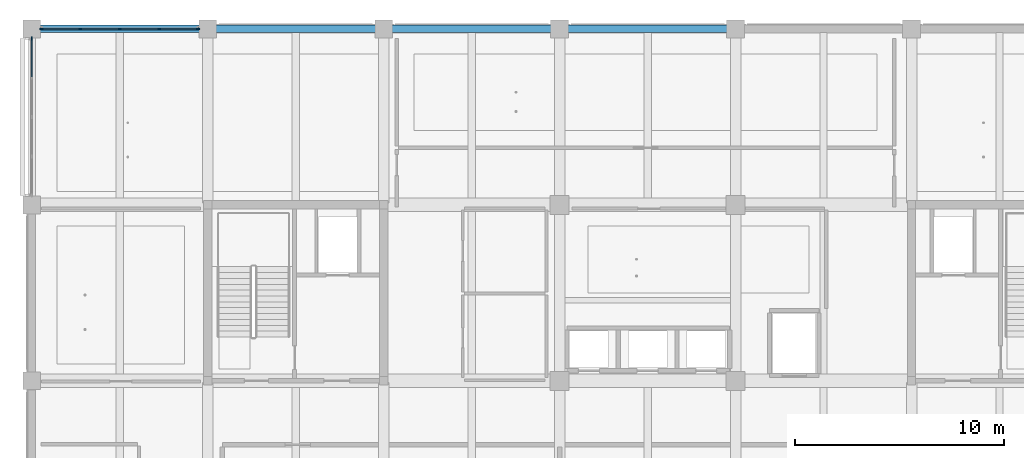
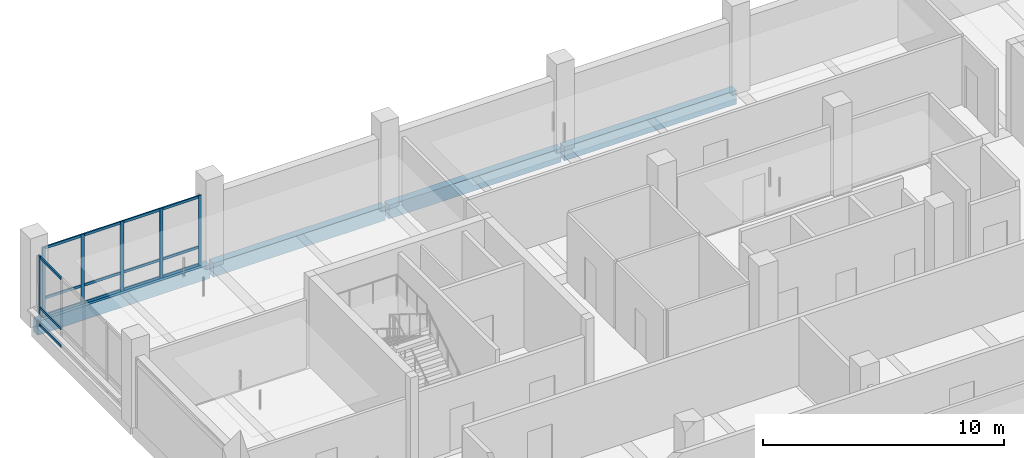
# One storey, part 8 of 36: 21 members, 4 beams, 2 elements without a shape of their own.
"""IFC4 building model written with IfcOpenShell, lengths in metres."""

import ifcopenshell
import ifcopenshell.guid

model = None  # the IFC model being written
_history = None  # IfcOwnerHistory: only IFC2X3 demands one
_inside = {}  # id of a spatial element -> (the spatial element, [elements in it])
_under = {}  # id of a project, library or spatial element -> (it, [spatial elements below it])
_declared = {}  # id of a project -> (the project, [libraries it declares])
_typed = {}  # id of a type object -> (the type object, [elements of that type])
_made_of = {}  # id of a material, layer set ... -> (it, [elements and type objects made of it])


def new_model(schema):
    """Start an empty IFC model of exactly this schema.

    Asked for "IFC4X3", IfcOpenShell would pick the latest addendum, in which some entities
    have other attributes; the version numbers below select the first issue.
    IFC2X3 requires an IfcOwnerHistory on every rooted entity: one is made here for all.
    """
    global model, _history
    if schema == "IFC4X3":
        model = ifcopenshell.file(schema_version=(4, 3, 0, 0))
    else:
        model = ifcopenshell.file(schema=schema)
    _inside.clear()
    _under.clear()
    _declared.clear()
    _typed.clear()
    _made_of.clear()
    _history = None
    if model.schema == "IFC2X3":
        org = make("IfcOrganization", Name="unknown")
        user = make(
            "IfcPersonAndOrganization",
            ThePerson=make("IfcPerson", FamilyName="unknown"),
            TheOrganization=org,
        )
        app = make(
            "IfcApplication",
            ApplicationDeveloper=org,
            Version="unknown",
            ApplicationFullName="unknown",
            ApplicationIdentifier="unknown",
        )
        _history = make(
            "IfcOwnerHistory",
            OwningUser=user,
            OwningApplication=app,
            ChangeAction="ADDED",
            CreationDate=0,
        )
    return model


def make(cls, **values):
    """One entity of the class cls with the attributes given. An attribute that is None is left unset."""
    return model.create_entity(
        cls, **{name: value for name, value in values.items() if value is not None}
    )


def rooted(cls, **values):
    """An entity with a GlobalId (a new one), such as an element, a storey or a relation."""
    return make(cls, GlobalId=ifcopenshell.guid.new(), OwnerHistory=_history, **values)


def si_unit(unit_type, name, prefix=None):
    """IfcSIUnit, for example si_unit("LENGTHUNIT", "METRE", prefix="MILLI")."""
    return make("IfcSIUnit", UnitType=unit_type, Prefix=prefix, Name=name)


def assignment(units):
    """IfcUnitAssignment: the units of a project."""
    return None if units is None else make("IfcUnitAssignment", Units=units)


def point(xyz):
    """IfcCartesianPoint."""
    return None if xyz is None else make("IfcCartesianPoint", Coordinates=xyz)


def direction(xyz):
    """IfcDirection."""
    return None if xyz is None else make("IfcDirection", DirectionRatios=xyz)


def frame(location, z_axis=None, x_axis=None):
    """IfcAxis2Placement3D, a coordinate frame: its origin and axes. An axis left out is left unset."""
    return make(
        "IfcAxis2Placement3D",
        Location=point(location),
        Axis=direction(z_axis),
        RefDirection=direction(x_axis),
    )


def frame_2d(location, x_axis=None):
    """IfcAxis2Placement2D, a coordinate frame in the plane: its origin and x axis."""
    return make(
        "IfcAxis2Placement2D", Location=point(location), RefDirection=direction(x_axis)
    )


def origin():
    """The frame at (0, 0, 0) with its axes left unset."""
    return frame((0.0, 0.0, 0.0))


def origin_2d():
    """The frame at (0, 0) in the plane with its x axis left unset."""
    return frame_2d((0.0, 0.0))


def place(relative_to, where):
    """IfcLocalPlacement: puts the frame where relative to a parent placement (None: the world)."""
    return make(
        "IfcLocalPlacement", PlacementRelTo=relative_to, RelativePlacement=where
    )


def context(
    kind, dimensions, precision=None, world=None, true_north=None, identifier=None
):
    """IfcGeometricRepresentationContext, for example the 3D "Model" context."""
    return make(
        "IfcGeometricRepresentationContext",
        ContextIdentifier=identifier,
        ContextType=kind,
        CoordinateSpaceDimension=dimensions,
        Precision=precision,
        WorldCoordinateSystem=world,
        TrueNorth=true_north,
    )


def subcontext(parent, identifier, kind, view, scale=None):
    """IfcGeometricRepresentationSubContext, for example "Body" below "Model"."""
    return make(
        "IfcGeometricRepresentationSubContext",
        ContextIdentifier=identifier,
        ContextType=kind,
        ParentContext=parent,
        TargetScale=scale,
        TargetView=view,
    )


def project(units=None, contexts=None):
    """IfcProject with its units and contexts."""
    return rooted(
        "IfcProject",
        Name="project",
        RepresentationContexts=contexts,
        UnitsInContext=assignment(units),
    )


def spatial(cls, under=None, at=None, **own):
    """A site, building, storey or space (cls), placed at a placement, below another one or the project."""
    s = rooted(cls, ObjectPlacement=at, **own)
    if under is not None:
        _under.setdefault(under.id(), (under, []))[1].append(s)
    return s


def profile(cls, at=None, kind="AREA", **sizes):
    """A parametric profile (cls). Its sizes go by their IFC names, for example OverallWidth=200.0."""
    return make(cls, ProfileType=kind, Position=at, **sizes)


def rectangle(**sizes):
    """IfcRectangleProfileDef."""
    return profile("IfcRectangleProfileDef", **sizes)


def extrude(swept, where, along, depth):
    """IfcExtrudedAreaSolid: the profile swept, set in the frame where, extruded along a direction by depth."""
    return make(
        "IfcExtrudedAreaSolid",
        SweptArea=swept,
        Position=where,
        ExtrudedDirection=direction(along),
        Depth=depth,
    )


def shape(context_of_items, identifier, shape_type, items):
    """IfcShapeRepresentation: the items that make up one representation, for example the "Body"."""
    return make(
        "IfcShapeRepresentation",
        ContextOfItems=context_of_items,
        RepresentationIdentifier=identifier,
        RepresentationType=shape_type,
        Items=items,
    )


def material(Name=None, Category=None):
    """IfcMaterial."""
    return make("IfcMaterial", Name=Name, Category=Category)


def layer(
    of_material, thickness, ventilated=None, Name=None, Category=None, Priority=None
):
    """IfcMaterialLayer: one layer of a wall or slab, of a material (None: an air gap)."""
    return make(
        "IfcMaterialLayer",
        Material=of_material,
        LayerThickness=thickness,
        IsVentilated=ventilated,
        Name=Name,
        Category=Category,
        Priority=Priority,
    )


def layer_set(layers, Name=None):
    """IfcMaterialLayerSet."""
    return make("IfcMaterialLayerSet", MaterialLayers=layers, LayerSetName=Name)


def material_profile(
    of_material, cross_section, Name=None, Category=None, Priority=None
):
    """IfcMaterialProfile: a cross section and its material."""
    return make(
        "IfcMaterialProfile",
        Name=Name,
        Material=of_material,
        Profile=cross_section,
        Priority=Priority,
        Category=Category,
    )


def profile_set(profiles, Name=None, composite=None):
    """IfcMaterialProfileSet."""
    return make(
        "IfcMaterialProfileSet",
        Name=Name,
        MaterialProfiles=profiles,
        CompositeProfile=composite,
    )


def made_of(thing, what):
    """Note that an element or type object is made of a material, layer set ...; save() writes the relation."""
    if what is not None:
        _made_of.setdefault(what.id(), (what, []))[1].append(thing)
    return thing


def type_object(cls, material=None, **own):
    """A type object (cls), such as IfcWallType, which elements share."""
    return made_of(rooted(cls, **own), material)


def element(
    cls,
    number,
    at=None,
    inside=None,
    cuts=None,
    type_object=None,
    material=None,
    context=None,
    identifier="Body",
    shape_type=None,
    held_by="IfcProductDefinitionShape",
    body=None,
    shapes=None,
    **own,
):
    """One element of the class cls, such as IfcWall. Its Tag is "e" and its number.

    at: its placement. inside: the storey or other place that contains it. cuts: it is an
    opening in that element (IfcRelVoidsElement). A single representation is given by context,
    identifier, shape_type and body (its items); several are given by shapes. held_by: the class
    of the entity that holds the representations. save() writes the other relations.
    """
    e = rooted(cls, Tag="e%d" % number, ObjectPlacement=at, **own)
    if body is not None:
        shapes = [shape(context, identifier, shape_type, body)]
    if shapes is not None:
        e.Representation = make(held_by, Representations=shapes)
    if inside is not None:
        _inside.setdefault(inside.id(), (inside, []))[1].append(e)
    if cuts is not None:
        rooted(
            "IfcRelVoidsElement", RelatingBuildingElement=cuts, RelatedOpeningElement=e
        )
    if type_object is not None:
        _typed.setdefault(type_object.id(), (type_object, []))[1].append(e)
    return made_of(e, material)


def aggregate(whole, parts):
    """IfcRelAggregates: a whole, such as a stair, and the parts it consists of."""
    return rooted("IfcRelAggregates", RelatingObject=whole, RelatedObjects=parts)


def save(model, path):
    """Write the relations noted so far, then the file.

    IfcRelAggregates (storeys below a building ...), IfcRelContainedInSpatialStructure (elements
    in a storey), IfcRelDefinesByType, IfcRelAssociatesMaterial and IfcRelDeclares: one each for
    every whole, place, type object, material and project.
    """
    for whole, parts in _under.values():
        aggregate(whole, parts)
    for where, things in _inside.values():
        rooted(
            "IfcRelContainedInSpatialStructure",
            RelatedElements=things,
            RelatingStructure=where,
        )
    for kind, things in _typed.values():
        rooted("IfcRelDefinesByType", RelatedObjects=things, RelatingType=kind)
    for what, things in _made_of.values():
        rooted("IfcRelAssociatesMaterial", RelatedObjects=things, RelatingMaterial=what)
    for by, libraries in _declared.values():
        rooted("IfcRelDeclares", RelatingContext=by, RelatedDefinitions=libraries)
    model.write(path)


model = new_model("IFC4")

# Units and contexts
model_context = context("Model", 3, precision=1e-05, world=origin(), true_north=direction((0.0, 1.0)))
body_context = subcontext(model_context, "Body", "Model", "MODEL_VIEW")
ifc_project = project(units=[si_unit("LENGTHUNIT", "METRE"), si_unit("AREAUNIT", "SQUARE_METRE"), si_unit("VOLUMEUNIT", "CUBIC_METRE"), si_unit("PLANEANGLEUNIT", "RADIAN"), si_unit("MASSUNIT", "GRAM", prefix="KILO")], contexts=[model_context])

# Site, building, storey
site_placement = place(None, origin())
site = spatial("IfcSite", under=ifc_project, at=site_placement, CompositionType="ELEMENT")
building_placement = place(site_placement, origin())
building = spatial("IfcBuilding", under=site, at=building_placement, Name="Telukmera Botanical Conservatory", CompositionType="ELEMENT")
storey_placement = place(building_placement, frame((0.0, 0.0, 24.0)))
storey = spatial("IfcBuildingStorey", under=building, at=storey_placement, Name="L05", CompositionType="ELEMENT", Elevation=24.0)

# Beams
ifc_material_1 = material(Name="Precast concrete C40/50", Category="concrete")
ifc_material_profile_1 = material_profile(ifc_material_1, rectangle(XDim=0.35009765625, YDim=0.699951171875, at=origin_2d()), Name="PC 350x700")
ifc_profile_set_1 = profile_set([ifc_material_profile_1], Name="Precast concrete C40/50")
beam_type = type_object("IfcBeamType", Name="Beam_SP2", PredefinedType="SPANDREL", material=ifc_profile_set_1)
beam_1_placement = place(storey_placement, frame((50.47998046875, 42.800048828125, -0.35009765625), z_axis=(1.0, 0.0, 0.0), x_axis=(0.0, 1.0, 0.0)))
element("IfcBeam", 1, at=beam_1_placement, inside=storey, type_object=beam_type, Name="Tower Grid Beam L05", PredefinedType="SPANDREL", context=body_context, shape_type="SweptSolid", body=[
    extrude(rectangle(XDim=0.35009765625, YDim=0.699951171875, at=origin_2d()), origin(), (0.0, 0.0, 1.0), 8.239990234375),
])
beam_2_placement = place(storey_placement, frame((58.8798828125, 42.800048828125, -0.35009765625), z_axis=(1.0, 0.0, 0.0), x_axis=(0.0, 1.0, 0.0)))
element("IfcBeam", 2, at=beam_2_placement, inside=storey, type_object=beam_type, Name="Tower Grid Beam L05", PredefinedType="SPANDREL", context=body_context, shape_type="SweptSolid", body=[
    extrude(rectangle(XDim=0.35009765625, YDim=0.699951171875, at=origin_2d()), origin(), (0.0, 0.0, 1.0), 8.240234375),
])
for number, where, z_axis, x_axis, name in (
    (3, (67.280029296875, 42.800048828125, -0.35009765625), (1.0, 0.0, 0.0), (0.0, 1.0, 0.0), "Tower Grid Beam L05"),
    (4, (75.679931640625, 42.800048828125, -0.35009765625), (1.0, 0.0, 0.0), (0.0, 1.0, 0.0), "Tower Grid Beam L05"),
):
    element("IfcBeam", number, at=place(storey_placement, frame(where, z_axis=z_axis, x_axis=x_axis)), inside=storey, type_object=beam_type, Name=name, PredefinedType="SPANDREL", context=body_context, shape_type="SweptSolid", body=[
        extrude(rectangle(XDim=0.35009765625, YDim=0.699951171875, at=origin_2d()), origin(), (0.0, 0.0, 1.0), 8.239990234375),
    ])

# Curtain wall, members
ifc_material_2 = material(Name="Anodised aluminium 6063-T6", Category="aluminium")
ifc_layer = layer(ifc_material_2, 0.179931640625)
ifc_layer_set = layer_set([ifc_layer], Name="Anodised aluminium 6063-T6")
curtain_wall_type = type_object("IfcCurtainWallType", Name="Tower Herbarium Curation Corner Curtain Wall", PredefinedType="USERDEFINED", material=ifc_layer_set)
curtain_wall_1_placement = place(storey_placement, origin())
curtain_wall_1 = element("IfcCurtainWall", 5, at=curtain_wall_1_placement, inside=storey, type_object=curtain_wall_type, Name="Unitised Curtain Wall CW14 V4:L05:N1", ObjectType="UNITISED CURTAIN WALL", PredefinedType="USERDEFINED")
ifc_material_profile_2 = material_profile(ifc_material_2, rectangle(XDim=0.06494140625, YDim=0.159912109375, at=origin_2d()), Name="ALU MULL 65x160")
ifc_profile_set_2 = profile_set([ifc_material_profile_2], Name="Anodised aluminium 6063-T6")
member_type_1 = type_object("IfcMemberType", Name="Curtain Wall Extruded Mullion 65x160", PredefinedType="MULLION", material=ifc_profile_set_2)
member_1_placement = place(storey_placement, frame((50.859619140625, 42.800048828125, 0.0), z_axis=(0.0, 0.0, 1.0), x_axis=(0.0, 1.0, 0.0)))
member_1 = element("IfcMember", 6, at=member_1_placement, type_object=member_type_1, Name="CW14 mullion 1", PredefinedType="MULLION", context=body_context, shape_type="SweptSolid", body=[
    extrude(rectangle(XDim=0.06494140625, YDim=0.159912109375, at=origin_2d()), origin(), (0.0, 0.0, 1.0), 3.550048828125),
])
member_2_placement = place(storey_placement, frame((52.71337890625, 42.800048828125, 0.0), z_axis=(0.0, 0.0, 1.0), x_axis=(0.0, 1.0, 0.0)))
member_2 = element("IfcMember", 7, at=member_2_placement, type_object=member_type_1, Name="CW14 mullion 2", PredefinedType="MULLION", context=body_context, shape_type="SweptSolid", body=[
    extrude(rectangle(XDim=0.06494140625, YDim=0.159912109375, at=origin_2d()), origin(), (0.0, 0.0, 1.0), 3.550048828125),
])
member_3_placement = place(storey_placement, frame((54.60009765625, 42.800048828125, 0.0), z_axis=(0.0, 0.0, 1.0), x_axis=(0.0, 1.0, 0.0)))
member_3 = element("IfcMember", 8, at=member_3_placement, type_object=member_type_1, Name="CW14 mullion 3", PredefinedType="MULLION", context=body_context, shape_type="SweptSolid", body=[
    extrude(rectangle(XDim=0.06494140625, YDim=0.159912109375, at=origin_2d()), origin(), (0.0, 0.0, 1.0), 3.550048828125),
])
member_4_placement = place(storey_placement, frame((56.486572265625, 42.800048828125, 0.0), z_axis=(0.0, 0.0, 1.0), x_axis=(0.0, 1.0, 0.0)))
member_4 = element("IfcMember", 9, at=member_4_placement, type_object=member_type_1, Name="CW14 mullion 4", PredefinedType="MULLION", context=body_context, shape_type="SweptSolid", body=[
    extrude(rectangle(XDim=0.06494140625, YDim=0.159912109375, at=origin_2d()), origin(), (0.0, 0.0, 1.0), 3.550048828125),
])
member_5_placement = place(storey_placement, frame((58.340576171875, 42.800048828125, 0.0), z_axis=(0.0, 0.0, 1.0), x_axis=(0.0, 1.0, 0.0)))
member_5 = element("IfcMember", 10, at=member_5_placement, type_object=member_type_1, Name="CW14 mullion 5", PredefinedType="MULLION", context=body_context, shape_type="SweptSolid", body=[
    extrude(rectangle(XDim=0.06494140625, YDim=0.159912109375, at=origin_2d()), origin(), (0.0, 0.0, 1.0), 3.550048828125),
])

# Curtain wall, member
curtain_wall_2_placement = place(storey_placement, origin())
curtain_wall_2 = element("IfcCurtainWall", 11, at=curtain_wall_2_placement, inside=storey, type_object=curtain_wall_type, Name="Unitised Curtain Wall CW14 V4:L05:W4", ObjectType="UNITISED CURTAIN WALL", PredefinedType="USERDEFINED")
member_6_placement = place(storey_placement, frame((50.39990234375, 42.340576171875, 0.0), z_axis=(0.0, 0.0, 1.0), x_axis=(-1.0, 0.0, 0.0)))
member_6 = element("IfcMember", 12, at=member_6_placement, type_object=member_type_1, Name="CW14 mullion 5", PredefinedType="MULLION", context=body_context, shape_type="SweptSolid", body=[
    extrude(rectangle(XDim=0.06494140625, YDim=0.159912109375, at=origin_2d()), origin(), (0.0, 0.0, 1.0), 3.550048828125),
])

# Member
ifc_material_profile_3 = material_profile(ifc_material_2, rectangle(XDim=0.06494140625, YDim=0.1298828125, at=origin_2d()), Name="ALU TRAN 65x130")
ifc_profile_set_3 = profile_set([ifc_material_profile_3], Name="Anodised aluminium 6063-T6")
member_type_2 = type_object("IfcMemberType", Name="Curtain Wall Extruded Transom 65x130", PredefinedType="USERDEFINED", material=ifc_profile_set_3)
member_7_placement = place(storey_placement, frame((50.89208984375, 42.800048828125, 0.06494140625), z_axis=(1.0, 0.0, 0.0), x_axis=(0.0, 1.0, 0.0)))
member_7 = element("IfcMember", 13, at=member_7_placement, type_object=member_type_2, Name="CW14 transom 1.1", ObjectType="TRANSOM", PredefinedType="USERDEFINED", context=body_context, shape_type="SweptSolid", body=[
    extrude(rectangle(XDim=0.06494140625, YDim=0.1298828125, at=origin_2d()), origin(), (0.0, 0.0, 1.0), 1.788818359375),
])

member_8_placement = place(storey_placement, frame((50.89208984375, 42.800048828125, 0.949951171875), z_axis=(1.0, 0.0, 0.0), x_axis=(0.0, 1.0, 0.0)))
member_8 = element("IfcMember", 14, at=member_8_placement, type_object=member_type_2, Name="CW14 transom 1.2", ObjectType="TRANSOM", PredefinedType="USERDEFINED", context=body_context, shape_type="SweptSolid", body=[
    extrude(rectangle(XDim=0.06494140625, YDim=0.1298828125, at=origin_2d()), origin(), (0.0, 0.0, 1.0), 1.788818359375),
])

member_9_placement = place(storey_placement, frame((50.89208984375, 42.800048828125, 3.485107421875), z_axis=(1.0, 0.0, 0.0), x_axis=(0.0, 1.0, 0.0)))
member_9 = element("IfcMember", 15, at=member_9_placement, type_object=member_type_2, Name="CW14 transom 1.3", ObjectType="TRANSOM", PredefinedType="USERDEFINED", context=body_context, shape_type="SweptSolid", body=[
    extrude(rectangle(XDim=0.06494140625, YDim=0.1298828125, at=origin_2d()), origin(), (0.0, 0.0, 1.0), 1.788818359375),
])

member_10_placement = place(storey_placement, frame((52.74609375, 42.800048828125, 0.06494140625), z_axis=(1.0, 0.0, 0.0), x_axis=(0.0, 1.0, 0.0)))
member_10 = element("IfcMember", 16, at=member_10_placement, type_object=member_type_2, Name="CW14 transom 2.1", ObjectType="TRANSOM", PredefinedType="USERDEFINED", context=body_context, shape_type="SweptSolid", body=[
    extrude(rectangle(XDim=0.06494140625, YDim=0.1298828125, at=origin_2d()), origin(), (0.0, 0.0, 1.0), 1.8212890625),
])

member_11_placement = place(storey_placement, frame((52.74609375, 42.800048828125, 0.949951171875), z_axis=(1.0, 0.0, 0.0), x_axis=(0.0, 1.0, 0.0)))
member_11 = element("IfcMember", 17, at=member_11_placement, type_object=member_type_2, Name="CW14 transom 2.2", ObjectType="TRANSOM", PredefinedType="USERDEFINED", context=body_context, shape_type="SweptSolid", body=[
    extrude(rectangle(XDim=0.06494140625, YDim=0.1298828125, at=origin_2d()), origin(), (0.0, 0.0, 1.0), 1.8212890625),
])

member_12_placement = place(storey_placement, frame((52.74609375, 42.800048828125, 3.485107421875), z_axis=(1.0, 0.0, 0.0), x_axis=(0.0, 1.0, 0.0)))
member_12 = element("IfcMember", 18, at=member_12_placement, type_object=member_type_2, Name="CW14 transom 2.3", ObjectType="TRANSOM", PredefinedType="USERDEFINED", context=body_context, shape_type="SweptSolid", body=[
    extrude(rectangle(XDim=0.06494140625, YDim=0.1298828125, at=origin_2d()), origin(), (0.0, 0.0, 1.0), 1.8212890625),
])

member_13_placement = place(storey_placement, frame((54.632568359375, 42.800048828125, 0.06494140625), z_axis=(1.0, 0.0, 0.0), x_axis=(0.0, 1.0, 0.0)))
member_13 = element("IfcMember", 19, at=member_13_placement, type_object=member_type_2, Name="CW14 transom 3.1", ObjectType="TRANSOM", PredefinedType="USERDEFINED", context=body_context, shape_type="SweptSolid", body=[
    extrude(rectangle(XDim=0.06494140625, YDim=0.1298828125, at=origin_2d()), origin(), (0.0, 0.0, 1.0), 1.821533203125),
])

member_14_placement = place(storey_placement, frame((54.632568359375, 42.800048828125, 0.949951171875), z_axis=(1.0, 0.0, 0.0), x_axis=(0.0, 1.0, 0.0)))
member_14 = element("IfcMember", 20, at=member_14_placement, type_object=member_type_2, Name="CW14 transom 3.2", ObjectType="TRANSOM", PredefinedType="USERDEFINED", context=body_context, shape_type="SweptSolid", body=[
    extrude(rectangle(XDim=0.06494140625, YDim=0.1298828125, at=origin_2d()), origin(), (0.0, 0.0, 1.0), 1.821533203125),
])

member_15_placement = place(storey_placement, frame((54.632568359375, 42.800048828125, 3.485107421875), z_axis=(1.0, 0.0, 0.0), x_axis=(0.0, 1.0, 0.0)))
member_15 = element("IfcMember", 21, at=member_15_placement, type_object=member_type_2, Name="CW14 transom 3.3", ObjectType="TRANSOM", PredefinedType="USERDEFINED", context=body_context, shape_type="SweptSolid", body=[
    extrude(rectangle(XDim=0.06494140625, YDim=0.1298828125, at=origin_2d()), origin(), (0.0, 0.0, 1.0), 1.821533203125),
])

member_16_placement = place(storey_placement, frame((56.51904296875, 42.800048828125, 0.06494140625), z_axis=(1.0, 0.0, 0.0), x_axis=(0.0, 1.0, 0.0)))
member_16 = element("IfcMember", 22, at=member_16_placement, type_object=member_type_2, Name="CW14 transom 4.1", ObjectType="TRANSOM", PredefinedType="USERDEFINED", context=body_context, shape_type="SweptSolid", body=[
    extrude(rectangle(XDim=0.06494140625, YDim=0.1298828125, at=origin_2d()), origin(), (0.0, 0.0, 1.0), 1.7890625),
])

member_17_placement = place(storey_placement, frame((56.51904296875, 42.800048828125, 0.949951171875), z_axis=(1.0, 0.0, 0.0), x_axis=(0.0, 1.0, 0.0)))
member_17 = element("IfcMember", 23, at=member_17_placement, type_object=member_type_2, Name="CW14 transom 4.2", ObjectType="TRANSOM", PredefinedType="USERDEFINED", context=body_context, shape_type="SweptSolid", body=[
    extrude(rectangle(XDim=0.06494140625, YDim=0.1298828125, at=origin_2d()), origin(), (0.0, 0.0, 1.0), 1.7890625),
])

member_18_placement = place(storey_placement, frame((56.51904296875, 42.800048828125, 3.485107421875), z_axis=(1.0, 0.0, 0.0), x_axis=(0.0, 1.0, 0.0)))
member_18 = element("IfcMember", 24, at=member_18_placement, type_object=member_type_2, Name="CW14 transom 4.3", ObjectType="TRANSOM", PredefinedType="USERDEFINED", context=body_context, shape_type="SweptSolid", body=[
    extrude(rectangle(XDim=0.06494140625, YDim=0.1298828125, at=origin_2d()), origin(), (0.0, 0.0, 1.0), 1.7890625),
])

aggregate(curtain_wall_1, [member_1, member_2, member_3, member_4, member_5, member_7, member_8, member_9, member_10, member_11, member_12, member_13, member_14, member_15, member_16, member_17, member_18])

member_19_placement = place(storey_placement, frame((50.39990234375, 40.51904296875, 0.06494140625), z_axis=(0.0, 1.0, 0.0), x_axis=(-1.0, 0.0, 0.0)))
member_19 = element("IfcMember", 25, at=member_19_placement, type_object=member_type_2, Name="CW14 transom 4.1", ObjectType="TRANSOM", PredefinedType="USERDEFINED", context=body_context, shape_type="SweptSolid", body=[
    extrude(rectangle(XDim=0.06494140625, YDim=0.1298828125, at=origin_2d()), origin(), (0.0, 0.0, 1.0), 1.7890625),
])

member_20_placement = place(storey_placement, frame((50.39990234375, 40.51904296875, 0.949951171875), z_axis=(0.0, 1.0, 0.0), x_axis=(-1.0, 0.0, 0.0)))
member_20 = element("IfcMember", 26, at=member_20_placement, type_object=member_type_2, Name="CW14 transom 4.2", ObjectType="TRANSOM", PredefinedType="USERDEFINED", context=body_context, shape_type="SweptSolid", body=[
    extrude(rectangle(XDim=0.06494140625, YDim=0.1298828125, at=origin_2d()), origin(), (0.0, 0.0, 1.0), 1.7890625),
])

member_21_placement = place(storey_placement, frame((50.39990234375, 40.51904296875, 3.485107421875), z_axis=(0.0, 1.0, 0.0), x_axis=(-1.0, 0.0, 0.0)))
member_21 = element("IfcMember", 27, at=member_21_placement, type_object=member_type_2, Name="CW14 transom 4.3", ObjectType="TRANSOM", PredefinedType="USERDEFINED", context=body_context, shape_type="SweptSolid", body=[
    extrude(rectangle(XDim=0.06494140625, YDim=0.1298828125, at=origin_2d()), origin(), (0.0, 0.0, 1.0), 1.7890625),
])

aggregate(curtain_wall_2, [member_6, member_19, member_20, member_21])

save(model, "model.ifc")
